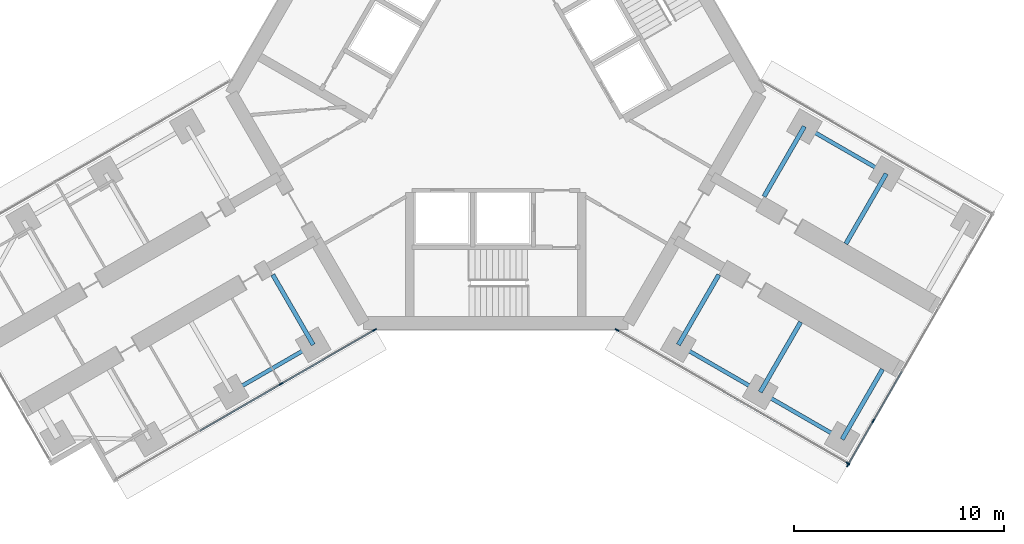
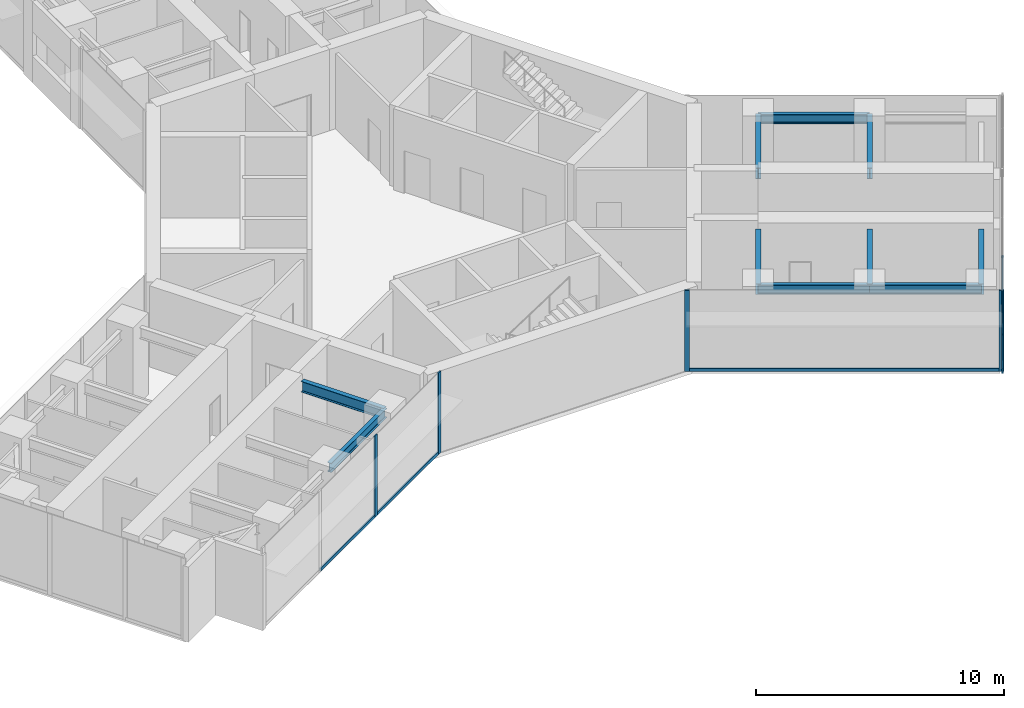
# One storey, part 8 of 23: 11 members, 10 beams, 3 elements without a shape of their own.
"""IFC4 building model written with IfcOpenShell, lengths in metres."""

from ifc_helpers import new_model, si_unit, direction, frame, origin, origin_2d, place, context, subcontext, project, spatial, rectangle, i_section, extrude, material, material_profile, profile_set, type_object, element, aggregate, save


model = new_model("IFC4")

# Units and contexts
model_context = context("Model", 3, precision=1e-05, world=origin(), true_north=direction((0.0, 1.0)))
body_context = subcontext(model_context, "Body", "Model", "MODEL_VIEW")
ifc_project = project(units=[si_unit("LENGTHUNIT", "METRE"), si_unit("AREAUNIT", "SQUARE_METRE"), si_unit("VOLUMEUNIT", "CUBIC_METRE"), si_unit("PLANEANGLEUNIT", "RADIAN"), si_unit("MASSUNIT", "GRAM", prefix="KILO")], contexts=[model_context])

# Site, building, storey
site_placement = place(None, origin())
site = spatial("IfcSite", under=ifc_project, at=site_placement, CompositionType="ELEMENT")
building_placement = place(site_placement, origin())
building = spatial("IfcBuilding", under=site, at=building_placement, Name="Upepo Twin Towers", CompositionType="ELEMENT")
storey_placement = place(building_placement, frame((0.0, 0.0, 161.5)))
storey = spatial("IfcBuildingStorey", under=building, at=storey_placement, Name="L39", CompositionType="ELEMENT", Elevation=161.5)

# Beams
ifc_material_1 = material(Name="Steel S355", Category="steel")
ifc_material_profile_1 = material_profile(ifc_material_1, i_section(OverallWidth=0.1904296875, OverallDepth=0.45703125, WebThickness=0.009033203125, FlangeThickness=0.014404296875, FilletRadius=0.01025390625, at=origin_2d()), Name="UB 457x191x74")
ifc_profile_set_1 = profile_set([ifc_material_profile_1], Name="Steel S355")
beam_type_1 = type_object("IfcBeamType", Name="Beam UB 457x191x74", PredefinedType="BEAM", material=ifc_profile_set_1)
for number, where, z_axis, x_axis, name in (
    (1, (49.80859375, -29.946044921875, 3.471435546875), (-0.866017533419, -0.500013631625, 0.0), (0.500013631625, -0.866017533419, 0.0), "T2 edge beam BL 13.5-18.0"),
    (2, (73.19140625, -19.553955078125, 3.471435546875), (0.866017533419, -0.500013631625, 0.0), (0.500013631625, 0.866017533419, 0.0), "T2 edge beam CL 13.5-18.0"),
    (3, (67.19140625, -29.946044921875, 3.471435546875), (0.866017533419, -0.500013631625, 0.0), (0.500013631625, 0.866017533419, 0.0), "T2 edge beam CR 13.5-18.0"),
):
    element("IfcBeam", number, at=place(storey_placement, frame(where, z_axis=z_axis, x_axis=x_axis)), inside=storey, type_object=beam_type_1, Name=name, PredefinedType="BEAM", context=body_context, shape_type="SweptSolid", body=[
        extrude(i_section(OverallWidth=0.1904296875, OverallDepth=0.45703125, WebThickness=0.009033203125, FlangeThickness=0.014404296875, FilletRadius=0.01025390625, at=origin_2d()), origin(), (0.0, 0.0, 1.0), 4.499755859375),
    ])
beam_1_placement = place(storey_placement, frame((71.08837890625, -32.196044921875, 3.471435546875), z_axis=(0.866031096941, -0.499990139034, 0.0), x_axis=(0.499990139034, 0.866031096941, 0.0)))
element("IfcBeam", 4, at=beam_1_placement, inside=storey, type_object=beam_type_1, Name="T2 edge beam CR 18.0-22.5", PredefinedType="BEAM", context=body_context, shape_type="SweptSolid", body=[
    extrude(i_section(OverallWidth=0.1904296875, OverallDepth=0.45703125, WebThickness=0.009033203125, FlangeThickness=0.014404296875, FilletRadius=0.01025390625, at=origin_2d()), origin(), (0.0, 0.0, 1.0), 4.5),
])
ifc_material_2 = material(Name="Steel S355", Category="steel")
ifc_material_profile_2 = material_profile(ifc_material_2, i_section(OverallWidth=0.209228515625, OverallDepth=0.533203125, WebThickness=0.010009765625, FlangeThickness=0.015625, FilletRadius=0.0126953125, at=origin_2d()), Name="UB 533x210x92")
ifc_profile_set_2 = profile_set([ifc_material_profile_2], Name="Steel S355")
beam_type_2 = type_object("IfcBeamType", Name="Beam UB 533x210x92", PredefinedType="BEAM", material=ifc_profile_set_2)
for number, where, z_axis, x_axis, name in (
    (5, (49.80859375, -29.946044921875, 3.433349609375), (-0.500033517596, 0.866006051527, 0.0), (-0.866006051527, -0.500033517596, 0.0), "T2 girder BL at 13.5"),
    (6, (73.19140625, -19.553955078125, 3.433349609375), (-0.500033517596, -0.866006051527, 0.0), (0.866006051527, -0.500033517596, 0.0), "T2 girder CL at 13.5"),
):
    element("IfcBeam", number, at=place(storey_placement, frame(where, z_axis=z_axis, x_axis=x_axis)), inside=storey, type_object=beam_type_2, Name=name, PredefinedType="BEAM", context=body_context, shape_type="SweptSolid", body=[
        extrude(i_section(OverallWidth=0.209228515625, OverallDepth=0.533203125, WebThickness=0.010009765625, FlangeThickness=0.015625, FilletRadius=0.0126953125, at=origin_2d()), origin(), (0.0, 0.0, 1.0), 3.849853515625),
    ])
beam_2_placement = place(storey_placement, frame((77.08837890625, -21.803955078125, 3.433349609375), z_axis=(-0.499985955615, -0.866033512162, 0.0), x_axis=(0.866033512162, -0.499985955615, 0.0)))
element("IfcBeam", 7, at=beam_2_placement, inside=storey, type_object=beam_type_2, Name="T2 girder CL at 18.0", PredefinedType="BEAM", context=body_context, shape_type="SweptSolid", body=[
    extrude(i_section(OverallWidth=0.209228515625, OverallDepth=0.533203125, WebThickness=0.010009765625, FlangeThickness=0.015625, FilletRadius=0.0126953125, at=origin_2d()), origin(), (0.0, 0.0, 1.0), 3.849609375),
])
for number, where, z_axis, x_axis, name in (
    (8, (67.19140625, -29.946044921875, 3.433349609375), (0.500033517596, 0.866006051527, 0.0), (-0.866006051527, 0.500033517596, 0.0), "T2 girder CR at 13.5"),
    (9, (71.08837890625, -32.196044921875, 3.433349609375), (0.500033517596, 0.866006051527, 0.0), (-0.866006051527, 0.500033517596, 0.0), "T2 girder CR at 18.0"),
    (10, (74.985595703125, -34.446044921875, 3.433349609375), (0.500033517596, 0.866006051527, 0.0), (-0.866006051527, 0.500033517596, 0.0), "T2 girder CR at 22.5"),
):
    element("IfcBeam", number, at=place(storey_placement, frame(where, z_axis=z_axis, x_axis=x_axis)), inside=storey, type_object=beam_type_2, Name=name, PredefinedType="BEAM", context=body_context, shape_type="SweptSolid", body=[
        extrude(i_section(OverallWidth=0.209228515625, OverallDepth=0.533203125, WebThickness=0.010009765625, FlangeThickness=0.015625, FilletRadius=0.0126953125, at=origin_2d()), origin(), (0.0, 0.0, 1.0), 3.849853515625),
    ])

# Curtain wall, members
ifc_material_3 = material(Name="Aluminium and fritted glass", Category="aluminium")
curtain_wall_type = type_object("IfcCurtainWallType", Name="Tower curtain wall TW2, fritted glass", PredefinedType="NOTDEFINED", material=ifc_material_3)
curtain_wall_1_placement = place(storey_placement, origin())
curtain_wall_1 = element("IfcCurtainWall", 11, at=curtain_wall_1_placement, inside=storey, type_object=curtain_wall_type, Name="T2 L39 wing B flank L curtain wall", PredefinedType="NOTDEFINED")
ifc_material_4 = material(Name="Aluminium mullion", Category="aluminium")
ifc_material_profile_3 = material_profile(ifc_material_4, rectangle(XDim=0.06494140625, YDim=0.199951171875, at=origin_2d()), Name="MULLION 65x200")
ifc_profile_set_3 = profile_set([ifc_material_profile_3], Name="Aluminium mullion")
member_type_1 = type_object("IfcMemberType", Name="Mullion 65x200 TW2", PredefinedType="MULLION", material=ifc_profile_set_3)
member_1_placement = place(storey_placement, frame((52.72802734375, -29.2421875, 0.0), z_axis=(0.0, 0.0, 1.0), x_axis=(0.500000010308, -0.866025397833, 0.0)))
member_1 = element("IfcMember", 12, at=member_1_placement, type_object=member_type_1, Name="T2 L39 wing B flank L curtain wall mullion 1", PredefinedType="MULLION", context=body_context, shape_type="SweptSolid", body=[
    extrude(rectangle(XDim=0.06494140625, YDim=0.199951171875, at=origin_2d()), origin(), (0.0, 0.0, 1.0), 4.0),
])
member_2_placement = place(storey_placement, frame((48.28515625, -31.807373046875, 0.0), z_axis=(0.0, 0.0, 1.0), x_axis=(0.500000010308, -0.866025397833, 0.0)))
member_2 = element("IfcMember", 13, at=member_2_placement, type_object=member_type_1, Name="T2 L39 wing B flank L curtain wall mullion 2", PredefinedType="MULLION", context=body_context, shape_type="SweptSolid", body=[
    extrude(rectangle(XDim=0.06494140625, YDim=0.199951171875, at=origin_2d()), origin(), (0.0, 0.0, 1.0), 4.0),
])

curtain_wall_2_placement = place(storey_placement, origin())
curtain_wall_2 = element("IfcCurtainWall", 14, at=curtain_wall_2_placement, inside=storey, type_object=curtain_wall_type, Name="T2 L39 wing C flank R curtain wall", PredefinedType="NOTDEFINED")
member_3_placement = place(storey_placement, frame((75.2685546875, -35.591064453125, 0.0), z_axis=(0.0, 0.0, 1.0), x_axis=(-0.50000000792, -0.866025399212, 0.0)))
member_3 = element("IfcMember", 15, at=member_3_placement, type_object=member_type_1, Name="T2 L39 wing C flank R curtain wall mullion 1", PredefinedType="MULLION", context=body_context, shape_type="SweptSolid", body=[
    extrude(rectangle(XDim=0.06494140625, YDim=0.199951171875, at=origin_2d()), origin(), (0.0, 0.0, 1.0), 4.0),
])
member_4_placement = place(storey_placement, frame((64.27197265625, -29.2421875, 0.0), z_axis=(0.0, 0.0, 1.0), x_axis=(-0.50000000792, -0.866025399212, 0.0)))
member_4 = element("IfcMember", 16, at=member_4_placement, type_object=member_type_1, Name="T2 L39 wing C flank R curtain wall mullion 2", PredefinedType="MULLION", context=body_context, shape_type="SweptSolid", body=[
    extrude(rectangle(XDim=0.06494140625, YDim=0.199951171875, at=origin_2d()), origin(), (0.0, 0.0, 1.0), 4.0),
])

curtain_wall_3_placement = place(storey_placement, origin())
curtain_wall_3 = element("IfcCurtainWall", 17, at=curtain_wall_3_placement, inside=storey, type_object=curtain_wall_type, Name="T2 L39 wing C nose curtain wall", PredefinedType="NOTDEFINED")
member_5_placement = place(storey_placement, frame((75.262939453125, -35.665771484375, 0.0), z_axis=(0.0, 0.0, 1.0), x_axis=(-0.866025419745, 0.499999972355, 0.0)))
member_5 = element("IfcMember", 18, at=member_5_placement, type_object=member_type_1, Name="T2 L39 wing C nose curtain wall mullion 1", PredefinedType="MULLION", context=body_context, shape_type="SweptSolid", body=[
    extrude(rectangle(XDim=0.06494140625, YDim=0.199951171875, at=origin_2d()), origin(), (0.0, 0.0, 1.0), 4.0),
])
member_6_placement = place(storey_placement, frame((76.4716796875, -33.572021484375, 0.0), z_axis=(0.0, 0.0, 1.0), x_axis=(-0.866025419745, 0.499999972355, 0.0)))
member_6 = element("IfcMember", 19, at=member_6_placement, type_object=member_type_1, Name="T2 L39 wing C nose curtain wall mullion 2", PredefinedType="MULLION", context=body_context, shape_type="SweptSolid", body=[
    extrude(rectangle(XDim=0.06494140625, YDim=0.199951171875, at=origin_2d()), origin(), (0.0, 0.0, 1.0), 4.0),
])

# Member
ifc_material_5 = material(Name="Aluminium transom", Category="aluminium")
ifc_material_profile_4 = material_profile(ifc_material_5, rectangle(XDim=0.06494140625, YDim=0.14990234375, at=origin_2d()), Name="TRANSOM 65x150")
ifc_profile_set_4 = profile_set([ifc_material_profile_4], Name="Aluminium transom")
member_type_2 = type_object("IfcMemberType", Name="Transom 65x150 TW2", PredefinedType="USERDEFINED", material=ifc_profile_set_4)
member_7_placement = place(storey_placement, frame((52.699951171875, -29.25830078125, 0.074951171875), z_axis=(-0.866021848223, -0.500006158363, 0.0), x_axis=(0.500006158363, -0.866021848223, 0.0)))
member_7 = element("IfcMember", 20, at=member_7_placement, type_object=member_type_2, Name="T2 L39 wing B flank L curtain wall transom 1", ObjectType="TRANSOM", PredefinedType="USERDEFINED", context=body_context, shape_type="SweptSolid", body=[
    extrude(rectangle(XDim=0.06494140625, YDim=0.14990234375, at=origin_2d()), origin(), (0.0, 0.0, 1.0), 5.0654296875),
])

member_8_placement = place(storey_placement, frame((48.2568359375, -31.823486328125, 0.074951171875), z_axis=(-0.866022410713, -0.500005184116, 0.0), x_axis=(0.500005184116, -0.866022410713, 0.0)))
member_8 = element("IfcMember", 21, at=member_8_placement, type_object=member_type_2, Name="T2 L39 wing B flank L curtain wall transom 2", ObjectType="TRANSOM", PredefinedType="USERDEFINED", context=body_context, shape_type="SweptSolid", body=[
    extrude(rectangle(XDim=0.06494140625, YDim=0.14990234375, at=origin_2d()), origin(), (0.0, 0.0, 1.0), 4.43505859375),
])

aggregate(curtain_wall_1, [member_1, member_2, member_7, member_8])

member_9_placement = place(storey_placement, frame((75.240478515625, -35.57470703125, 0.074951171875), z_axis=(-0.866027247007, 0.499996807431, 0.0), x_axis=(-0.499996807431, -0.866027247007, 0.0)))
member_9 = element("IfcMember", 22, at=member_9_placement, type_object=member_type_2, Name="T2 L39 wing C flank R curtain wall transom 1", ObjectType="TRANSOM", PredefinedType="USERDEFINED", context=body_context, shape_type="SweptSolid", body=[
    extrude(rectangle(XDim=0.06494140625, YDim=0.14990234375, at=origin_2d()), origin(), (0.0, 0.0, 1.0), 12.6328125),
])

aggregate(curtain_wall_2, [member_3, member_4, member_9])

member_10_placement = place(storey_placement, frame((75.279296875, -35.6376953125, 0.074951171875), z_axis=(0.499923095048, 0.866069800327, 0.0), x_axis=(-0.866069800327, 0.499923095048, 0.0)))
member_10 = element("IfcMember", 23, at=member_10_placement, type_object=member_type_2, Name="T2 L39 wing C nose curtain wall transom 1", ObjectType="TRANSOM", PredefinedType="USERDEFINED", context=body_context, shape_type="SweptSolid", body=[
    extrude(rectangle(XDim=0.06494140625, YDim=0.14990234375, at=origin_2d()), origin(), (0.0, 0.0, 1.0), 2.352294921875),
])

member_11_placement = place(storey_placement, frame((76.488037109375, -33.5439453125, 0.074951171875), z_axis=(0.49995335277, 0.8660523339, 0.0), x_axis=(-0.8660523339, 0.49995335277, 0.0)))
member_11 = element("IfcMember", 24, at=member_11_placement, type_object=member_type_2, Name="T2 L39 wing C nose curtain wall transom 2", ObjectType="TRANSOM", PredefinedType="USERDEFINED", context=body_context, shape_type="SweptSolid", body=[
    extrude(rectangle(XDim=0.06494140625, YDim=0.14990234375, at=origin_2d()), origin(), (0.0, 0.0, 1.0), 2.684814453125),
])

aggregate(curtain_wall_3, [member_5, member_6, member_10, member_11])

save(model, "model.ifc")
